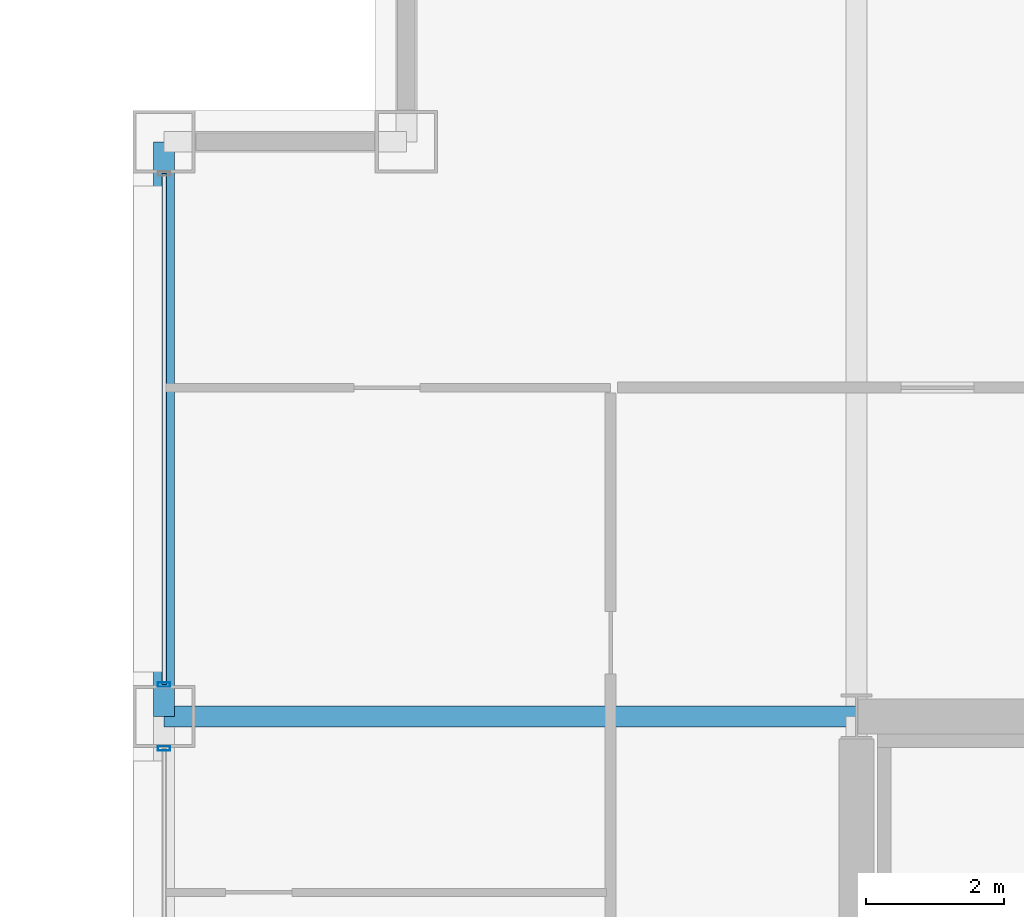
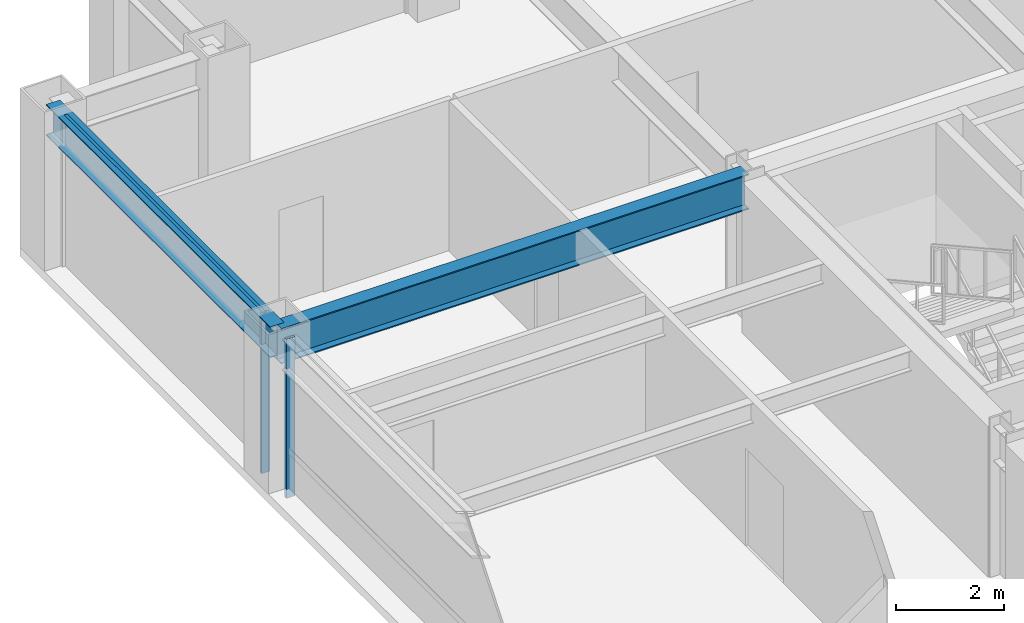
# One storey, part 15 of 30: 3 members, 2 beams, 2 elements without a shape of their own.
"""IFC4 building model written with IfcOpenShell, lengths in metres."""

from ifc_helpers import new_model, si_unit, direction, frame, origin, origin_2d, place, context, subcontext, project, spatial, hollow_rectangle, i_section, extrude, material, layer, layer_set, material_profile, profile_set, type_object, element, aggregate, save


model = new_model("IFC4")

# Units and contexts
model_context = context("Model", 3, precision=1e-05, world=origin(), true_north=direction((0.0, 1.0)))
body_context = subcontext(model_context, "Body", "Model", "MODEL_VIEW")
ifc_project = project(units=[si_unit("LENGTHUNIT", "METRE"), si_unit("AREAUNIT", "SQUARE_METRE"), si_unit("VOLUMEUNIT", "CUBIC_METRE"), si_unit("PLANEANGLEUNIT", "RADIAN"), si_unit("MASSUNIT", "GRAM", prefix="KILO")], contexts=[model_context])

# Site, building, storey
site_placement = place(None, origin())
site = spatial("IfcSite", under=ifc_project, at=site_placement, CompositionType="ELEMENT")
building_placement = place(site_placement, origin())
building = spatial("IfcBuilding", under=site, at=building_placement, Name="Brelmoor Portico Tower", CompositionType="ELEMENT")
storey_placement = place(building_placement, frame((0.0, 0.0, 74.39990234375)))
storey = spatial("IfcBuildingStorey", under=building, at=storey_placement, Name="L19", CompositionType="ELEMENT", Elevation=74.39990234375)

# Beams
ifc_material_1 = material(Name="Steel Q355B", Category="steel")
ifc_material_profile_1 = material_profile(ifc_material_1, i_section(OverallWidth=0.300048828125, OverallDepth=0.800048828125, WebThickness=0.013916015625, FlangeThickness=0.02587890625, at=origin_2d()), Name="HN 800x300x14x26")
ifc_profile_set_1 = profile_set([ifc_material_profile_1], Name="Steel Q355B")
beam_type_1 = type_object("IfcBeamType", Name="BM-PG-800", PredefinedType="BEAM", material=ifc_profile_set_1)
beam_1_placement = place(storey_placement, frame((-24.550048828125, 9.75, 3.0), z_axis=(1.0, 0.0, 0.0), x_axis=(0.0, 1.0, 0.0)))
element("IfcBeam", 1, at=beam_1_placement, inside=storey, type_object=beam_type_1, Name="L19 Primary Floor Girder PG-27", PredefinedType="BEAM", context=body_context, shape_type="SweptSolid", body=[
    extrude(i_section(OverallWidth=0.300048828125, OverallDepth=0.800048828125, WebThickness=0.013916015625, FlangeThickness=0.02587890625, at=origin_2d()), origin(), (0.0, 0.0, 1.0), 10.0),
])
ifc_material_profile_2 = material_profile(ifc_material_1, i_section(OverallWidth=0.300048828125, OverallDepth=0.699951171875, WebThickness=0.012939453125, FlangeThickness=0.02392578125, at=origin_2d()), Name="HN 700x300x13x24")
ifc_profile_set_2 = profile_set([ifc_material_profile_2], Name="Steel Q355B")
beam_type_2 = type_object("IfcBeamType", Name="BM-SP-700", PredefinedType="SPANDREL", material=ifc_profile_set_2)
beam_2_placement = place(storey_placement, frame((-24.550048828125, 9.75, 3.050048828125), z_axis=(0.0, 1.0, 0.0), x_axis=(-1.0, 0.0, 0.0)))
element("IfcBeam", 2, at=beam_2_placement, inside=storey, type_object=beam_type_2, Name="L19 Perimeter Spandrel Beam SP-17", PredefinedType="SPANDREL", context=body_context, shape_type="SweptSolid", body=[
    extrude(i_section(OverallWidth=0.300048828125, OverallDepth=0.699951171875, WebThickness=0.012939453125, FlangeThickness=0.02392578125, at=origin_2d()), origin(), (0.0, 0.0, 1.0), 8.300048828125),
])

# Curtain wall, member
ifc_material_2 = material(Name="Anodised Aluminium Alloy 6063-T6", Category="aluminium")
ifc_layer_1 = layer(ifc_material_2, 0.179931640625)
ifc_layer_set_1 = layer_set([ifc_layer_1], Name="Anodised Aluminium Alloy 6063-T6")
curtain_wall_type_1 = type_object("IfcCurtainWallType", Name="CW-TOWER-Z1", PredefinedType="NOTDEFINED", material=ifc_layer_set_1)
curtain_wall_1_placement = place(storey_placement, origin())
curtain_wall_1 = element("IfcCurtainWall", 3, at=curtain_wall_1_placement, inside=storey, type_object=curtain_wall_type_1, Name="L19 Curtain Wall CW-L19-3R-1", PredefinedType="NOTDEFINED")
ifc_material_profile_3 = material_profile(ifc_material_2, hollow_rectangle(XDim=0.06494140625, YDim=0.179931640625, WallThickness=0.00390625, at=origin_2d()), Name="ALU MULLION 65x180")
ifc_profile_set_3 = profile_set([ifc_material_profile_3], Name="Anodised Aluminium Alloy 6063-T6")
member_type_1 = type_object("IfcMemberType", Name="MB-CW-MULL-180", PredefinedType="MULLION", material=ifc_profile_set_3)
member_1_placement = place(storey_placement, frame((-24.550048828125, 9.2900390625, -0.199951171875), z_axis=(0.0, 0.0, 1.0), x_axis=(0.0, 1.0, 0.0)))
member_1 = element("IfcMember", 4, at=member_1_placement, type_object=member_type_1, Name="CW-L19-3R-1 Mullion 01", PredefinedType="MULLION", context=body_context, shape_type="SweptSolid", body=[
    extrude(hollow_rectangle(XDim=0.06494140625, YDim=0.179931640625, WallThickness=0.00390625, at=origin_2d()), origin(), (0.0, 0.0, 1.0), 3.60009765625),
])
aggregate(curtain_wall_1, [member_1])

# Curtain wall, members
ifc_layer_2 = layer(ifc_material_2, 0.179931640625)
ifc_layer_set_2 = layer_set([ifc_layer_2], Name="Anodised Aluminium Alloy 6063-T6")
curtain_wall_type_2 = type_object("IfcCurtainWallType", Name="CW-TOWER-Z1-XB", PredefinedType="NOTDEFINED", material=ifc_layer_set_2)
curtain_wall_2_placement = place(storey_placement, origin())
curtain_wall_2 = element("IfcCurtainWall", 5, at=curtain_wall_2_placement, inside=storey, type_object=curtain_wall_type_2, Name="L19 Curtain Wall CW-L19-3R-2", PredefinedType="NOTDEFINED")
member_2_placement = place(storey_placement, frame((-24.550048828125, 10.2099609375, -0.199951171875), z_axis=(0.0, 0.0, 1.0), x_axis=(0.0, 1.0, 0.0)))
member_2 = element("IfcMember", 6, at=member_2_placement, type_object=member_type_1, Name="CW-L19-3R-2 Mullion 00", PredefinedType="MULLION", context=body_context, shape_type="SweptSolid", body=[
    extrude(hollow_rectangle(XDim=0.06494140625, YDim=0.179931640625, WallThickness=0.00390625, at=origin_2d()), origin(), (0.0, 0.0, 1.0), 3.60009765625),
])
ifc_material_profile_4 = material_profile(ifc_material_2, hollow_rectangle(XDim=0.06494140625, YDim=0.139892578125, WallThickness=0.00390625, at=origin_2d()), Name="ALU TRANSOM 65x140")
ifc_profile_set_4 = profile_set([ifc_material_profile_4], Name="Anodised Aluminium Alloy 6063-T6")
member_type_2 = type_object("IfcMemberType", Name="MB-CW-TRAN-140", PredefinedType="USERDEFINED", material=ifc_profile_set_4)
member_3_placement = place(storey_placement, frame((-24.550048828125, 10.2099609375, 3.330078125), z_axis=(0.0, 1.0, 0.0), x_axis=(-1.0, 0.0, 0.0)))
member_3 = element("IfcMember", 7, at=member_3_placement, type_object=member_type_2, Name="CW-L19-3R-2 Transom 1-00", ObjectType="TRANSOM", PredefinedType="USERDEFINED", context=body_context, shape_type="SweptSolid", body=[
    extrude(hollow_rectangle(XDim=0.06494140625, YDim=0.139892578125, WallThickness=0.00390625, at=origin_2d()), origin(), (0.0, 0.0, 1.0), 7.380126953125),
])
aggregate(curtain_wall_2, [member_2, member_3])

save(model, "model.ifc")
